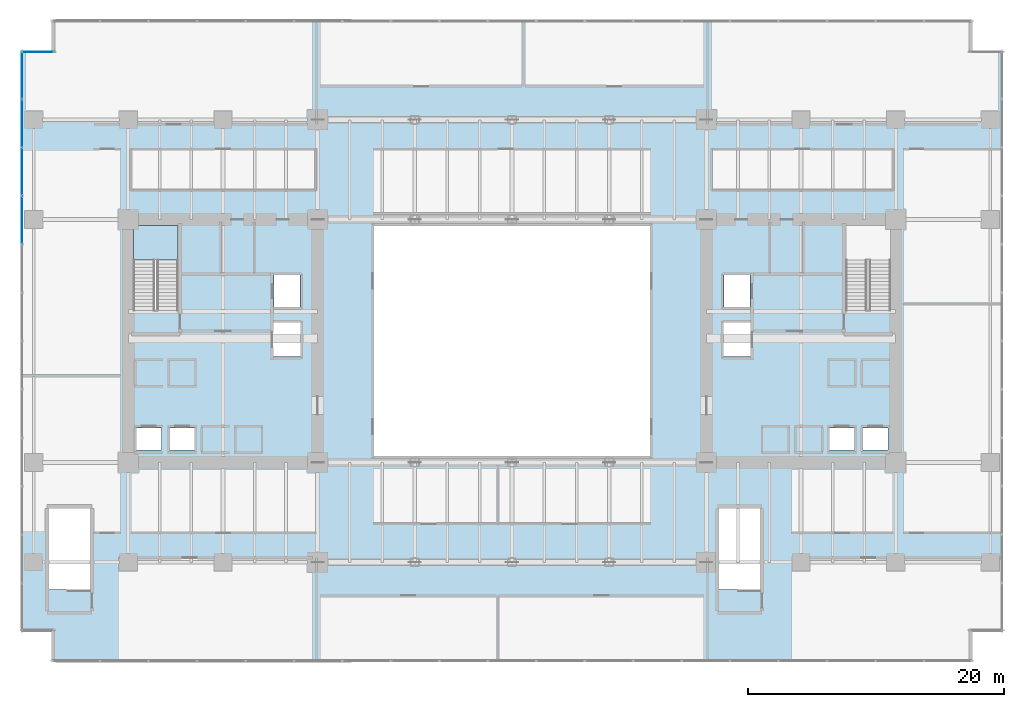
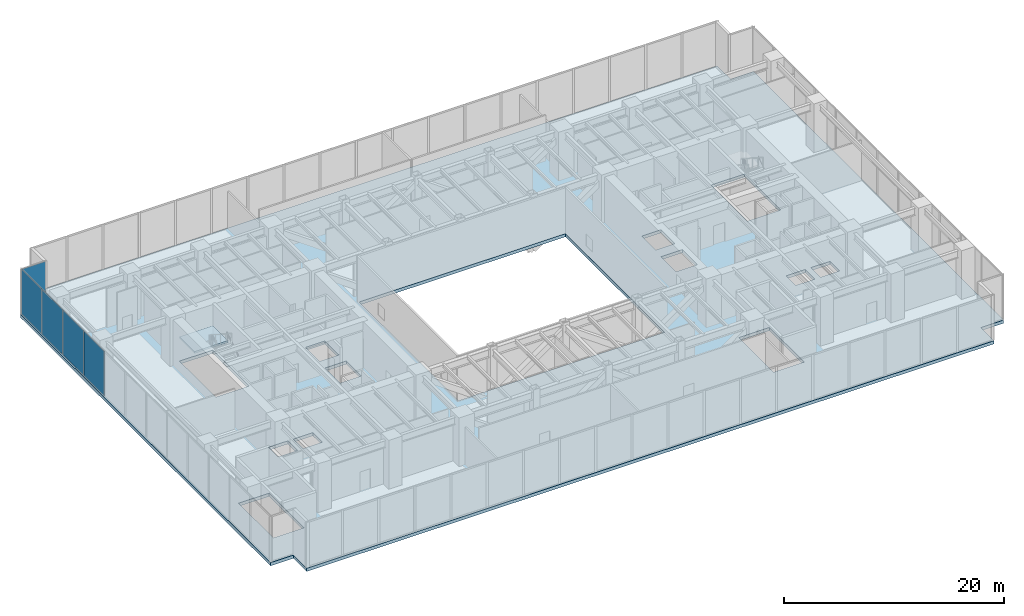
# One storey, part 25 of 35: 5 plates, 2 slabs, 3 elements without a shape of their own.
"""IFC4 building model written with IfcOpenShell, lengths in metres."""

import ifcopenshell
import ifcopenshell.guid

model = None  # the IFC model being written
_history = None  # IfcOwnerHistory: only IFC2X3 demands one
_inside = {}  # id of a spatial element -> (the spatial element, [elements in it])
_under = {}  # id of a project, library or spatial element -> (it, [spatial elements below it])
_declared = {}  # id of a project -> (the project, [libraries it declares])
_typed = {}  # id of a type object -> (the type object, [elements of that type])
_made_of = {}  # id of a material, layer set ... -> (it, [elements and type objects made of it])


def new_model(schema):
    """Start an empty IFC model of exactly this schema.

    Asked for "IFC4X3", IfcOpenShell would pick the latest addendum, in which some entities
    have other attributes; the version numbers below select the first issue.
    IFC2X3 requires an IfcOwnerHistory on every rooted entity: one is made here for all.
    """
    global model, _history
    if schema == "IFC4X3":
        model = ifcopenshell.file(schema_version=(4, 3, 0, 0))
    else:
        model = ifcopenshell.file(schema=schema)
    _inside.clear()
    _under.clear()
    _declared.clear()
    _typed.clear()
    _made_of.clear()
    _history = None
    if model.schema == "IFC2X3":
        org = make("IfcOrganization", Name="unknown")
        user = make(
            "IfcPersonAndOrganization",
            ThePerson=make("IfcPerson", FamilyName="unknown"),
            TheOrganization=org,
        )
        app = make(
            "IfcApplication",
            ApplicationDeveloper=org,
            Version="unknown",
            ApplicationFullName="unknown",
            ApplicationIdentifier="unknown",
        )
        _history = make(
            "IfcOwnerHistory",
            OwningUser=user,
            OwningApplication=app,
            ChangeAction="ADDED",
            CreationDate=0,
        )
    return model


def make(cls, **values):
    """One entity of the class cls with the attributes given. An attribute that is None is left unset."""
    return model.create_entity(
        cls, **{name: value for name, value in values.items() if value is not None}
    )


def rooted(cls, **values):
    """An entity with a GlobalId (a new one), such as an element, a storey or a relation."""
    return make(cls, GlobalId=ifcopenshell.guid.new(), OwnerHistory=_history, **values)


def si_unit(unit_type, name, prefix=None):
    """IfcSIUnit, for example si_unit("LENGTHUNIT", "METRE", prefix="MILLI")."""
    return make("IfcSIUnit", UnitType=unit_type, Prefix=prefix, Name=name)


def assignment(units):
    """IfcUnitAssignment: the units of a project."""
    return None if units is None else make("IfcUnitAssignment", Units=units)


def point(xyz):
    """IfcCartesianPoint."""
    return None if xyz is None else make("IfcCartesianPoint", Coordinates=xyz)


def direction(xyz):
    """IfcDirection."""
    return None if xyz is None else make("IfcDirection", DirectionRatios=xyz)


def frame(location, z_axis=None, x_axis=None):
    """IfcAxis2Placement3D, a coordinate frame: its origin and axes. An axis left out is left unset."""
    return make(
        "IfcAxis2Placement3D",
        Location=point(location),
        Axis=direction(z_axis),
        RefDirection=direction(x_axis),
    )


def frame_2d(location, x_axis=None):
    """IfcAxis2Placement2D, a coordinate frame in the plane: its origin and x axis."""
    return make(
        "IfcAxis2Placement2D", Location=point(location), RefDirection=direction(x_axis)
    )


def origin():
    """The frame at (0, 0, 0) with its axes left unset."""
    return frame((0.0, 0.0, 0.0))


def origin_2d():
    """The frame at (0, 0) in the plane with its x axis left unset."""
    return frame_2d((0.0, 0.0))


def place(relative_to, where):
    """IfcLocalPlacement: puts the frame where relative to a parent placement (None: the world)."""
    return make(
        "IfcLocalPlacement", PlacementRelTo=relative_to, RelativePlacement=where
    )


def context(
    kind, dimensions, precision=None, world=None, true_north=None, identifier=None
):
    """IfcGeometricRepresentationContext, for example the 3D "Model" context."""
    return make(
        "IfcGeometricRepresentationContext",
        ContextIdentifier=identifier,
        ContextType=kind,
        CoordinateSpaceDimension=dimensions,
        Precision=precision,
        WorldCoordinateSystem=world,
        TrueNorth=true_north,
    )


def subcontext(parent, identifier, kind, view, scale=None):
    """IfcGeometricRepresentationSubContext, for example "Body" below "Model"."""
    return make(
        "IfcGeometricRepresentationSubContext",
        ContextIdentifier=identifier,
        ContextType=kind,
        ParentContext=parent,
        TargetScale=scale,
        TargetView=view,
    )


def project(units=None, contexts=None):
    """IfcProject with its units and contexts."""
    return rooted(
        "IfcProject",
        Name="project",
        RepresentationContexts=contexts,
        UnitsInContext=assignment(units),
    )


def spatial(cls, under=None, at=None, **own):
    """A site, building, storey or space (cls), placed at a placement, below another one or the project."""
    s = rooted(cls, ObjectPlacement=at, **own)
    if under is not None:
        _under.setdefault(under.id(), (under, []))[1].append(s)
    return s


def polyline(points):
    """IfcPolyline through the points."""
    return make("IfcPolyline", Points=[point(p) for p in points])


def profile(cls, at=None, kind="AREA", **sizes):
    """A parametric profile (cls). Its sizes go by their IFC names, for example OverallWidth=200.0."""
    return make(cls, ProfileType=kind, Position=at, **sizes)


def rectangle(**sizes):
    """IfcRectangleProfileDef."""
    return profile("IfcRectangleProfileDef", **sizes)


def outline(outer, holes=None, kind="AREA"):
    """IfcArbitraryClosedProfileDef: a profile drawn as a closed curve; with holes, ...WithVoids."""
    if holes is None:
        return make("IfcArbitraryClosedProfileDef", ProfileType=kind, OuterCurve=outer)
    return make(
        "IfcArbitraryProfileDefWithVoids",
        ProfileType=kind,
        OuterCurve=outer,
        InnerCurves=holes,
    )


def extrude(swept, where, along, depth):
    """IfcExtrudedAreaSolid: the profile swept, set in the frame where, extruded along a direction by depth."""
    return make(
        "IfcExtrudedAreaSolid",
        SweptArea=swept,
        Position=where,
        ExtrudedDirection=direction(along),
        Depth=depth,
    )


def shape(context_of_items, identifier, shape_type, items):
    """IfcShapeRepresentation: the items that make up one representation, for example the "Body"."""
    return make(
        "IfcShapeRepresentation",
        ContextOfItems=context_of_items,
        RepresentationIdentifier=identifier,
        RepresentationType=shape_type,
        Items=items,
    )


def source(mapping_origin, context_of_items, identifier, shape_type, items):
    """IfcRepresentationMap: a shape defined once, which mapped items show again and again."""
    return make(
        "IfcRepresentationMap",
        MappingOrigin=mapping_origin,
        MappedRepresentation=shape(context_of_items, identifier, shape_type, items),
    )


def transform(
    local_origin,
    x_axis=None,
    y_axis=None,
    z_axis=None,
    scale=None,
    scale2=None,
    scale3=None,
    uniform=True,
):
    """IfcCartesianTransformationOperator3D, or its non-uniform kind. x_axis, y_axis, z_axis: its Axis1, 2, 3."""
    if uniform:
        return make(
            "IfcCartesianTransformationOperator3D",
            Axis1=direction(x_axis),
            Axis2=direction(y_axis),
            LocalOrigin=point(local_origin),
            Scale=scale,
            Axis3=direction(z_axis),
        )
    return make(
        "IfcCartesianTransformationOperator3DnonUniform",
        Axis1=direction(x_axis),
        Axis2=direction(y_axis),
        LocalOrigin=point(local_origin),
        Scale=scale,
        Axis3=direction(z_axis),
        Scale2=scale2,
        Scale3=scale3,
    )


def mapped(mapping_source, mapping_target):
    """IfcMappedItem: shows the shape of a source again, moved by a transform."""
    return make(
        "IfcMappedItem", MappingSource=mapping_source, MappingTarget=mapping_target
    )


def material(Name=None, Category=None):
    """IfcMaterial."""
    return make("IfcMaterial", Name=Name, Category=Category)


def layer(
    of_material, thickness, ventilated=None, Name=None, Category=None, Priority=None
):
    """IfcMaterialLayer: one layer of a wall or slab, of a material (None: an air gap)."""
    return make(
        "IfcMaterialLayer",
        Material=of_material,
        LayerThickness=thickness,
        IsVentilated=ventilated,
        Name=Name,
        Category=Category,
        Priority=Priority,
    )


def layer_set(layers, Name=None):
    """IfcMaterialLayerSet."""
    return make("IfcMaterialLayerSet", MaterialLayers=layers, LayerSetName=Name)


def made_of(thing, what):
    """Note that an element or type object is made of a material, layer set ...; save() writes the relation."""
    if what is not None:
        _made_of.setdefault(what.id(), (what, []))[1].append(thing)
    return thing


def type_object(cls, material=None, **own):
    """A type object (cls), such as IfcWallType, which elements share."""
    return made_of(rooted(cls, **own), material)


def type_shapes(of_type, sources):
    """Give a type object the sources (RepresentationMaps) that its elements show as mapped items."""
    of_type.RepresentationMaps = sources


def element(
    cls,
    number,
    at=None,
    inside=None,
    cuts=None,
    type_object=None,
    material=None,
    context=None,
    identifier="Body",
    shape_type=None,
    held_by="IfcProductDefinitionShape",
    body=None,
    shapes=None,
    **own,
):
    """One element of the class cls, such as IfcWall. Its Tag is "e" and its number.

    at: its placement. inside: the storey or other place that contains it. cuts: it is an
    opening in that element (IfcRelVoidsElement). A single representation is given by context,
    identifier, shape_type and body (its items); several are given by shapes. held_by: the class
    of the entity that holds the representations. save() writes the other relations.
    """
    e = rooted(cls, Tag="e%d" % number, ObjectPlacement=at, **own)
    if body is not None:
        shapes = [shape(context, identifier, shape_type, body)]
    if shapes is not None:
        e.Representation = make(held_by, Representations=shapes)
    if inside is not None:
        _inside.setdefault(inside.id(), (inside, []))[1].append(e)
    if cuts is not None:
        rooted(
            "IfcRelVoidsElement", RelatingBuildingElement=cuts, RelatedOpeningElement=e
        )
    if type_object is not None:
        _typed.setdefault(type_object.id(), (type_object, []))[1].append(e)
    return made_of(e, material)


def aggregate(whole, parts):
    """IfcRelAggregates: a whole, such as a stair, and the parts it consists of."""
    return rooted("IfcRelAggregates", RelatingObject=whole, RelatedObjects=parts)


def save(model, path):
    """Write the relations noted so far, then the file.

    IfcRelAggregates (storeys below a building ...), IfcRelContainedInSpatialStructure (elements
    in a storey), IfcRelDefinesByType, IfcRelAssociatesMaterial and IfcRelDeclares: one each for
    every whole, place, type object, material and project.
    """
    for whole, parts in _under.values():
        aggregate(whole, parts)
    for where, things in _inside.values():
        rooted(
            "IfcRelContainedInSpatialStructure",
            RelatedElements=things,
            RelatingStructure=where,
        )
    for kind, things in _typed.values():
        rooted("IfcRelDefinesByType", RelatedObjects=things, RelatingType=kind)
    for what, things in _made_of.values():
        rooted("IfcRelAssociatesMaterial", RelatedObjects=things, RelatingMaterial=what)
    for by, libraries in _declared.values():
        rooted("IfcRelDeclares", RelatingContext=by, RelatedDefinitions=libraries)
    model.write(path)


model = new_model("IFC4")

# Units and contexts
model_context = context("Model", 3, precision=1e-05, world=origin(), true_north=direction((0.0, 1.0)))
body_context = subcontext(model_context, "Body", "Model", "MODEL_VIEW")
ifc_project = project(units=[si_unit("LENGTHUNIT", "METRE"), si_unit("AREAUNIT", "SQUARE_METRE"), si_unit("VOLUMEUNIT", "CUBIC_METRE"), si_unit("PLANEANGLEUNIT", "RADIAN"), si_unit("MASSUNIT", "GRAM", prefix="KILO")], contexts=[model_context])

# Site, building, storey
site_placement = place(None, origin())
site = spatial("IfcSite", under=ifc_project, at=site_placement, CompositionType="ELEMENT")
building_placement = place(site_placement, origin())
building = spatial("IfcBuilding", under=site, at=building_placement, Name="Haelvirn Gate Laboratories", CompositionType="ELEMENT")
storey_placement = place(building_placement, frame((0.0, 0.0, 19.800048828125)))
storey = spatial("IfcBuildingStorey", under=building, at=storey_placement, Name="L05", CompositionType="ELEMENT", Elevation=19.800048828125)

# Slab
ifc_material_1 = material(Name="Concrete C50/60", Category="concrete")
ifc_layer_1 = layer(ifc_material_1, 0.35009765625, Name="SL-POD-350")
ifc_layer_set_1 = layer_set([ifc_layer_1], Name="Concrete C50/60")
slab_type_1 = type_object("IfcSlabType", Name="SL-POD-350", PredefinedType="FLOOR", material=ifc_layer_set_1)
slab_1_placement = place(storey_placement, frame((0.0, 0.0, -0.35009765625)))
element("IfcSlab", 1, at=slab_1_placement, inside=storey, type_object=slab_type_1, Name="L05 Structural Slab MAIN", PredefinedType="FLOOR", context=body_context, shape_type="SweptSolid", body=[
    extrude(outline(polyline([(1.39990234375, -0.800048828125), (73.39990234375, -0.800048828125), (73.39990234375, 1.60009765625), (75.800048828125, 1.60009765625), (75.800048828125, 47.0), (73.39990234375, 47.0), (73.39990234375, 49.39990234375), (1.39990234375, 49.39990234375), (1.39990234375, 47.0), (-1.0, 47.0), (-1.0, 1.60009765625), (1.39990234375, 1.60009765625), (1.39990234375, -0.800048828125)]), holes=[polyline([(26.60009765625, 15.300048828125), (48.199951171875, 15.300048828125), (48.199951171875, 33.300048828125), (26.60009765625, 33.300048828125), (26.60009765625, 15.300048828125)]), polyline([(11.300048828125, 26.780029296875), (11.300048828125, 33.35009765625), (7.800048828125, 33.35009765625), (7.800048828125, 26.780029296875), (11.300048828125, 26.780029296875)]), polyline([(67.0, 26.780029296875), (67.0, 33.35009765625), (63.5, 33.35009765625), (63.5, 26.780029296875), (67.0, 26.780029296875)]), polyline([(4.39990234375, 4.8798828125), (4.39990234375, 11.199951171875), (1.199951171875, 11.199951171875), (1.199951171875, 4.8798828125), (4.39990234375, 4.8798828125)]), polyline([(56.800048828125, 4.8798828125), (56.800048828125, 11.199951171875), (53.60009765625, 11.199951171875), (53.60009765625, 4.8798828125), (56.800048828125, 4.8798828125)]), polyline([(7.989990234375, 15.77001953125), (10.010009765625, 15.77001953125), (10.010009765625, 17.510009765625), (7.989990234375, 17.510009765625), (7.989990234375, 15.77001953125)]), polyline([(10.590087890625, 15.77001953125), (12.610107421875, 15.77001953125), (12.610107421875, 17.510009765625), (10.590087890625, 17.510009765625), (10.590087890625, 15.77001953125)]), polyline([(18.7900390625, 26.969970703125), (20.81005859375, 26.969970703125), (20.81005859375, 29.510009765625), (18.7900390625, 29.510009765625), (18.7900390625, 26.969970703125)]), polyline([(18.68994140625, 23.070068359375), (20.909912109375, 23.070068359375), (20.909912109375, 25.81005859375), (18.68994140625, 25.81005859375), (18.68994140625, 23.070068359375)]), polyline([(64.7900390625, 15.77001953125), (66.81005859375, 15.77001953125), (66.81005859375, 17.510009765625), (64.7900390625, 17.510009765625), (64.7900390625, 15.77001953125)]), polyline([(62.18994140625, 15.77001953125), (64.2099609375, 15.77001953125), (64.2099609375, 17.510009765625), (62.18994140625, 17.510009765625), (62.18994140625, 15.77001953125)]), polyline([(53.989990234375, 26.969970703125), (56.010009765625, 26.969970703125), (56.010009765625, 29.510009765625), (53.989990234375, 29.510009765625), (53.989990234375, 26.969970703125)]), polyline([(53.889892578125, 23.070068359375), (56.110107421875, 23.070068359375), (56.110107421875, 25.81005859375), (53.889892578125, 25.81005859375), (53.889892578125, 23.070068359375)])]), origin(), (0.0, 0.0, 1.0), 0.35009765625),
])

# Stair, slab
ifc_material_2 = material(Name="Concrete C40/50", Category="concrete")
stair_type = type_object("IfcStairType", Name="ST-DOG-1650-R30", PredefinedType="HALF_TURN_STAIR", material=ifc_material_2)
stair_placement = place(storey_placement, origin())
stair = element("IfcStair", 2, at=stair_placement, inside=storey, type_object=stair_type, Name="L05 Escape Stair ST1", PredefinedType="HALF_TURN_STAIR")
ifc_layer_2 = layer(ifc_material_2, 0.199951171875, Name="SL-STAIR-LND")
ifc_layer_set_2 = layer_set([ifc_layer_2], Name="Concrete C40/50")
slab_type_2 = type_object("IfcSlabType", Name="SL-STAIR-LND", PredefinedType="LANDING", material=ifc_layer_set_2)
slab_2_placement = place(storey_placement, frame((0.0, 0.0, 2.5)))
slab_2 = element("IfcSlab", 3, at=slab_2_placement, type_object=slab_type_2, Name="ST1 landing 1", PredefinedType="LANDING", context=body_context, shape_type="SweptSolid", body=[
    extrude(outline(polyline([(11.300048828125, 30.6201171875), (11.300048828125, 33.35009765625), (7.800048828125, 33.35009765625), (7.800048828125, 30.6201171875), (11.300048828125, 30.6201171875)])), origin(), (0.0, 0.0, 1.0), 0.199951171875),
])
aggregate(stair, [slab_2])

# Curtain wall, plate
ifc_material_3 = material(Name="Anodised bronze unitised aluminium & triple low-E glass", Category="aluminium")
ifc_layer_3 = layer(ifc_material_3, 0.181884765625, Name="CW-SYS-5")
ifc_layer_set_3 = layer_set([ifc_layer_3], Name="Anodised bronze unitised aluminium & triple low-E glass")
curtain_wall_type_1 = type_object("IfcCurtainWallType", Name="CW-SYS-5", PredefinedType="NOTDEFINED", material=ifc_layer_set_3)
curtain_wall_1_placement = place(storey_placement, origin())
curtain_wall_1 = element("IfcCurtainWall", 4, at=curtain_wall_1_placement, inside=storey, type_object=curtain_wall_type_1, Name="L05 Unitised Curtain Wall CW-L05-P0-E08-1", PredefinedType="NOTDEFINED")
ifc_material_4 = material(Name="Clear low-iron notched-corner triple IGU 42 mm", Category="glass")
ifc_layer_4 = layer(ifc_material_4, 0.0419921875, Name="CWP-NTC-42")
ifc_layer_set_4 = layer_set([ifc_layer_4], Name="Clear low-iron notched-corner triple IGU 42 mm")
plate_type_1 = type_object("IfcPlateType", Name="CWP-NTC-42", PredefinedType="CURTAIN_PANEL", material=ifc_layer_set_4)
shared_shape_1 = source(origin(), body_context, "Body", "SweptSolid", [
    extrude(rectangle(XDim=2.47998046875, YDim=0.0419921875, at=origin_2d()), origin(), (0.0, 0.0, 1.0), 4.949951171875),
])
type_shapes(plate_type_1, [shared_shape_1])
plate_1_placement = place(storey_placement, frame((0.320068359375, 46.89990234375, 0.06494140625), z_axis=(0.0, 0.0, 1.0), x_axis=(1.0, 0.0, 0.0)))
plate_1 = element("IfcPlate", 5, at=plate_1_placement, type_object=plate_type_1, Name="CW5 panel 1.1", PredefinedType="CURTAIN_PANEL", context=body_context, shape_type="MappedRepresentation", body=[
    mapped(shared_shape_1, transform((0.0, 0.0, 0.0), scale=1.0)),
])
aggregate(curtain_wall_1, [plate_1])

# Curtain wall, plates
ifc_layer_5 = layer(ifc_material_3, 0.18798828125, Name="CW-SYS-1")
ifc_layer_set_5 = layer_set([ifc_layer_5], Name="Anodised bronze unitised aluminium & triple low-E glass")
curtain_wall_type_2 = type_object("IfcCurtainWallType", Name="CW-SYS-1", PredefinedType="NOTDEFINED", material=ifc_layer_set_5)
curtain_wall_2_placement = place(storey_placement, origin())
curtain_wall_2 = element("IfcCurtainWall", 6, at=curtain_wall_2_placement, inside=storey, type_object=curtain_wall_type_2, Name="L05 Unitised Curtain Wall CW-L05-P0-E09", PredefinedType="NOTDEFINED")
ifc_material_5 = material(Name="Bronze solar-control triple low-E IGU 48 mm", Category="glass")
ifc_layer_6 = layer(ifc_material_5, 0.048095703125, Name="CWP-IGU-48")
ifc_layer_set_6 = layer_set([ifc_layer_6], Name="Bronze solar-control triple low-E IGU 48 mm")
plate_type_2 = type_object("IfcPlateType", Name="CWP-IGU-48", PredefinedType="CURTAIN_PANEL", material=ifc_layer_set_6)
shared_shape_2 = source(origin(), body_context, "Body", "SweptSolid", [
    extrude(rectangle(XDim=3.663330078125, YDim=0.048095703125, at=origin_2d()), origin(), (0.0, 0.0, 1.0), 4.93994140625),
])
plate_2_placement = place(storey_placement, frame((-0.89990234375, 45.08837890625, 0.070068359375), z_axis=(0.0, 0.0, 1.0), x_axis=(0.0, -1.0, 0.0)))
plate_2 = element("IfcPlate", 7, at=plate_2_placement, type_object=plate_type_2, Name="CW1 panel 1.1", PredefinedType="CURTAIN_PANEL", context=body_context, shape_type="MappedRepresentation", body=[
    mapped(shared_shape_2, transform((0.0, 0.0, 0.0), scale=1.0)),
])
shared_shape_3 = source(origin(), body_context, "Body", "SweptSolid", [
    extrude(rectangle(XDim=3.703369140625, YDim=0.048095703125, at=origin_2d()), origin(), (0.0, 0.0, 1.0), 4.93994140625),
])
type_shapes(plate_type_2, [shared_shape_2, shared_shape_3])
plate_3_placement = place(storey_placement, frame((-0.89990234375, 41.324951171875, 0.070068359375), z_axis=(0.0, 0.0, 1.0), x_axis=(0.0, -1.0, 0.0)))
plate_3 = element("IfcPlate", 8, at=plate_3_placement, type_object=plate_type_2, Name="CW1 panel 2.1", PredefinedType="CURTAIN_PANEL", context=body_context, shape_type="MappedRepresentation", body=[
    mapped(shared_shape_3, transform((0.0, 0.0, 0.0), scale=1.0)),
])
plate_4_placement = place(storey_placement, frame((-0.89990234375, 37.541748046875, 0.070068359375), z_axis=(0.0, 0.0, 1.0), x_axis=(0.0, -1.0, 0.0)))
plate_4 = element("IfcPlate", 9, at=plate_4_placement, type_object=plate_type_2, Name="CW1 panel 3.1", PredefinedType="CURTAIN_PANEL", context=body_context, shape_type="MappedRepresentation", body=[
    mapped(shared_shape_3, transform((0.0, 0.0, 0.0), scale=1.0)),
])
plate_5_placement = place(storey_placement, frame((-0.89990234375, 33.75830078125, 0.070068359375), z_axis=(0.0, 0.0, 1.0), x_axis=(0.0, -1.0, 0.0)))
plate_5 = element("IfcPlate", 10, at=plate_5_placement, type_object=plate_type_2, Name="CW1 panel 4.1", PredefinedType="CURTAIN_PANEL", context=body_context, shape_type="MappedRepresentation", body=[
    mapped(shared_shape_3, transform((0.0, 0.0, 0.0), scale=1.0)),
])
aggregate(curtain_wall_2, [plate_2, plate_3, plate_4, plate_5])

save(model, "model.ifc")
